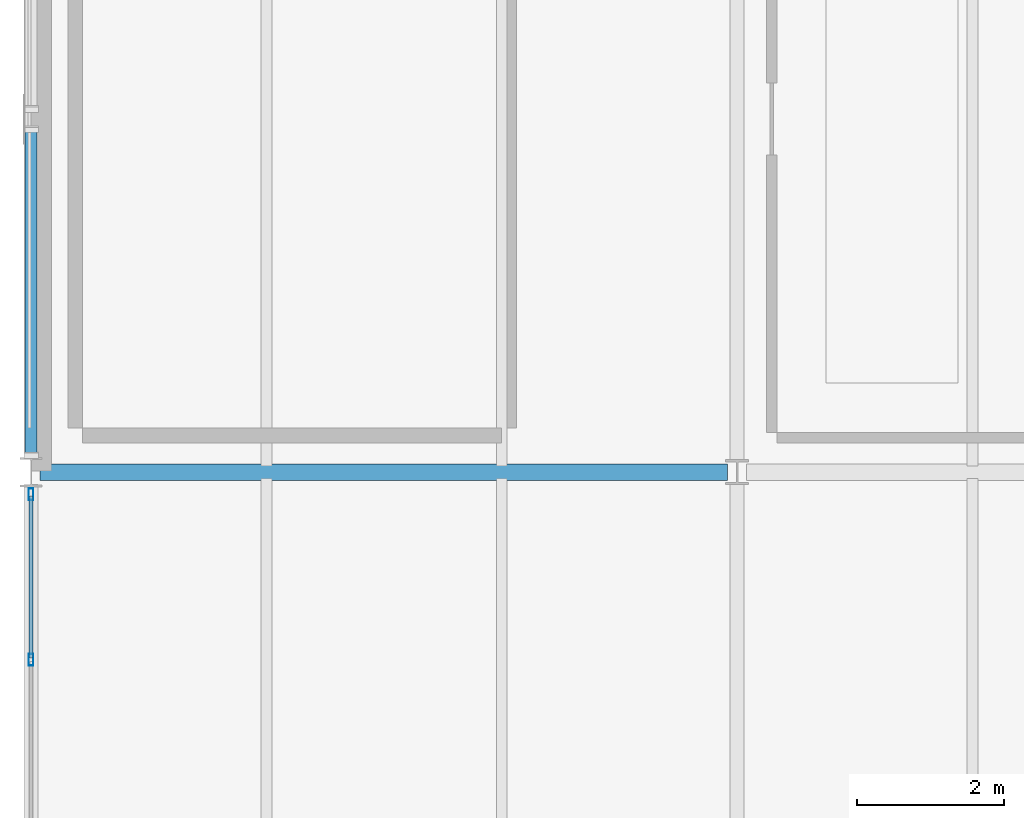
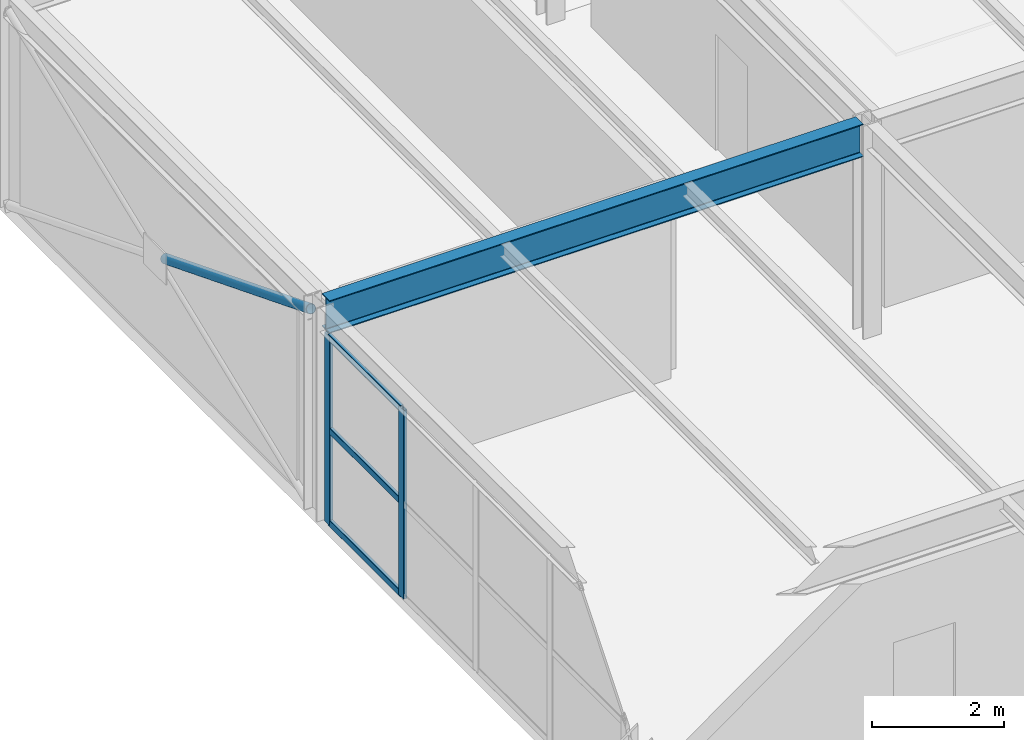
# One storey, part 16 of 126: 6 members, 1 beam, 1 element without a shape of its own.
"""IFC4 building model written with IfcOpenShell, lengths in metres."""

from ifc_helpers import new_model, si_unit, direction, frame, origin, origin_2d, place, context, subcontext, project, spatial, hollow_rectangle, hollow_circle, i_section, extrude, material, material_profile, profile_set, type_object, element, aggregate, save


model = new_model("IFC4")

# Units and contexts
model_context = context("Model", 3, precision=1e-05, world=origin(), true_north=direction((0.0, 1.0)))
body_context = subcontext(model_context, "Body", "Model", "MODEL_VIEW")
ifc_project = project(units=[si_unit("LENGTHUNIT", "METRE"), si_unit("AREAUNIT", "SQUARE_METRE"), si_unit("VOLUMEUNIT", "CUBIC_METRE"), si_unit("PLANEANGLEUNIT", "RADIAN"), si_unit("MASSUNIT", "GRAM", prefix="KILO")], contexts=[model_context])

# Site, building, storey
site_placement = place(None, origin())
site = spatial("IfcSite", under=ifc_project, at=site_placement, CompositionType="ELEMENT")
building_placement = place(site_placement, origin())
building = spatial("IfcBuilding", under=site, at=building_placement, Name="Coralgate Yard Interchange", CompositionType="ELEMENT")
storey_placement = place(building_placement, frame((0.0, 0.0, 10.5)))
storey = spatial("IfcBuildingStorey", under=building, at=storey_placement, Name="L02", CompositionType="ELEMENT", Elevation=10.5)

# Beam
ifc_material_1 = material(Name="Structural steel S355J2", Category="steel")
ifc_material_profile_1 = material_profile(ifc_material_1, i_section(OverallWidth=0.228271484375, OverallDepth=0.607666015625, WebThickness=0.010986328125, FlangeThickness=0.017333984375, FilletRadius=0.0126953125, at=origin_2d()), Name="UB 610x229x113")
ifc_profile_set_1 = profile_set([ifc_material_profile_1], Name="Structural steel S355J2")
beam_type = type_object("IfcBeamType", Name="BM-SG-5", PredefinedType="BEAM", material=ifc_profile_set_1)
beam_placement = place(storey_placement, frame((0.1201171875, 19.199951171875, 3.646240234375), z_axis=(1.0, 0.0, 0.0), x_axis=(0.0, 1.0, 0.0)))
element("IfcBeam", 1, at=beam_placement, inside=storey, type_object=beam_type, Name="L02 primary grid beam Y2 X0-1", PredefinedType="BEAM", context=body_context, shape_type="SweptSolid", body=[
    extrude(i_section(OverallWidth=0.228271484375, OverallDepth=0.607666015625, WebThickness=0.010986328125, FlangeThickness=0.017333984375, FilletRadius=0.0126953125, at=origin_2d()), origin(), (0.0, 0.0, 1.0), 9.3525390625),
])

# Member
ifc_material_profile_2 = material_profile(ifc_material_1, hollow_circle(Radius=0.084228515625, WallThickness=0.008056640625, at=origin_2d()), Name="CHS 168.3x8")
ifc_profile_set_2 = profile_set([ifc_material_profile_2], Name="Structural steel S355J2")
member_type_1 = type_object("IfcMemberType", Name="MB-BR-2", PredefinedType="BRACE", material=ifc_profile_set_2)
member_1_placement = place(storey_placement, frame((0.0, 23.854736328125, 1.882568359375), z_axis=(0.0, -0.929821642657, 0.368010479262), x_axis=(1.0, 0.0, 0.0)))
element("IfcMember", 2, at=member_1_placement, inside=storey, type_object=member_type_1, Name="L02 split concentric X-brace W-B2", PredefinedType="BRACE", context=body_context, shape_type="SweptSolid", body=[
    extrude(hollow_circle(Radius=0.084228515625, WallThickness=0.008056640625, at=origin_2d()), origin(), (0.0, 0.0, 1.0), 4.748046875),
])

# Curtain wall, members
ifc_material_2 = material(Name="Anodised coastal aluminium and solar-control low-E glass", Category="aluminium")
curtain_wall_type = type_object("IfcCurtainWallType", Name="CW-CW-L02-A", PredefinedType="NOTDEFINED", material=ifc_material_2)
curtain_wall_placement = place(storey_placement, origin())
curtain_wall = element("IfcCurtainWall", 3, at=curtain_wall_placement, inside=storey, type_object=curtain_wall_type, Name="L02 unitised curtain wall CW-L02-W-00-01", PredefinedType="NOTDEFINED")
ifc_material_3 = material(Name="Anodised coastal aluminium 6063-T6", Category="aluminium")
ifc_material_profile_3 = material_profile(ifc_material_3, hollow_rectangle(XDim=0.06494140625, YDim=0.159912109375, WallThickness=0.00390625, InnerFilletRadius=0.00390625, OuterFilletRadius=0.008056640625, at=origin_2d()), Name="ALU 65x160x4")
ifc_profile_set_3 = profile_set([ifc_material_profile_3], Name="Anodised coastal aluminium 6063-T6")
member_type_2 = type_object("IfcMemberType", Name="MB-MUL-160", PredefinedType="MULLION", material=ifc_profile_set_3)
member_2_placement = place(storey_placement, frame((0.0, 16.64990234375, 0.0), z_axis=(0.0, 0.0, 1.0), x_axis=(1.0, 0.0, 0.0)))
member_2 = element("IfcMember", 4, at=member_2_placement, type_object=member_type_2, Name="CW-L02-W-00-01 vertical mullion 4", PredefinedType="MULLION", context=body_context, shape_type="SweptSolid", body=[
    extrude(hollow_rectangle(XDim=0.06494140625, YDim=0.159912109375, WallThickness=0.00390625, InnerFilletRadius=0.00390625, OuterFilletRadius=0.008056640625, at=origin_2d()), origin(), (0.0, 0.0, 1.0), 3.492919921875),
])
member_3_placement = place(storey_placement, frame((0.0, 18.89990234375, 0.0), z_axis=(0.0, 0.0, 1.0), x_axis=(1.0, 0.0, 0.0)))
member_3 = element("IfcMember", 5, at=member_3_placement, type_object=member_type_2, Name="CW-L02-W-00-01 vertical mullion 5", PredefinedType="MULLION", context=body_context, shape_type="SweptSolid", body=[
    extrude(hollow_rectangle(XDim=0.06494140625, YDim=0.159912109375, WallThickness=0.00390625, InnerFilletRadius=0.00390625, OuterFilletRadius=0.008056640625, at=origin_2d()), origin(), (0.0, 0.0, 1.0), 3.492919921875),
])
ifc_material_profile_4 = material_profile(ifc_material_3, hollow_rectangle(XDim=0.06005859375, YDim=0.1201171875, WallThickness=0.00341796875, InnerFilletRadius=0.00341796875, OuterFilletRadius=0.007080078125, at=origin_2d()), Name="ALU 60x120x3.5")
ifc_profile_set_4 = profile_set([ifc_material_profile_4], Name="Anodised coastal aluminium 6063-T6")
member_type_3 = type_object("IfcMemberType", Name="MB-TRN-120", PredefinedType="USERDEFINED", material=ifc_profile_set_4)
member_4_placement = place(storey_placement, frame((0.0, 16.679931640625, 0.034912109375), z_axis=(0.0, 1.0, 0.0), x_axis=(-1.0, 0.0, 0.0)))
member_4 = element("IfcMember", 6, at=member_4_placement, type_object=member_type_3, Name="CW-L02-W-00-01 horizontal transom 4-1", ObjectType="TRANSOM", PredefinedType="USERDEFINED", context=body_context, shape_type="SweptSolid", body=[
    extrude(hollow_rectangle(XDim=0.06005859375, YDim=0.1201171875, WallThickness=0.00341796875, InnerFilletRadius=0.00341796875, OuterFilletRadius=0.007080078125, at=origin_2d()), origin(), (0.0, 0.0, 1.0), 2.190185546875),
])
member_5_placement = place(storey_placement, frame((0.0, 16.679931640625, 1.74658203125), z_axis=(0.0, 1.0, 0.0), x_axis=(-1.0, 0.0, 0.0)))
member_5 = element("IfcMember", 7, at=member_5_placement, type_object=member_type_3, Name="CW-L02-W-00-01 horizontal transom 4-2", ObjectType="TRANSOM", PredefinedType="USERDEFINED", context=body_context, shape_type="SweptSolid", body=[
    extrude(hollow_rectangle(XDim=0.06005859375, YDim=0.1201171875, WallThickness=0.00341796875, InnerFilletRadius=0.00341796875, OuterFilletRadius=0.007080078125, at=origin_2d()), origin(), (0.0, 0.0, 1.0), 2.190185546875),
])
member_6_placement = place(storey_placement, frame((0.0, 16.679931640625, 3.4580078125), z_axis=(0.0, 1.0, 0.0), x_axis=(-1.0, 0.0, 0.0)))
member_6 = element("IfcMember", 8, at=member_6_placement, type_object=member_type_3, Name="CW-L02-W-00-01 horizontal transom 4-3", ObjectType="TRANSOM", PredefinedType="USERDEFINED", context=body_context, shape_type="SweptSolid", body=[
    extrude(hollow_rectangle(XDim=0.06005859375, YDim=0.1201171875, WallThickness=0.00341796875, InnerFilletRadius=0.00341796875, OuterFilletRadius=0.007080078125, at=origin_2d()), origin(), (0.0, 0.0, 1.0), 2.190185546875),
])
aggregate(curtain_wall, [member_2, member_3, member_4, member_5, member_6])

save(model, "model.ifc")
